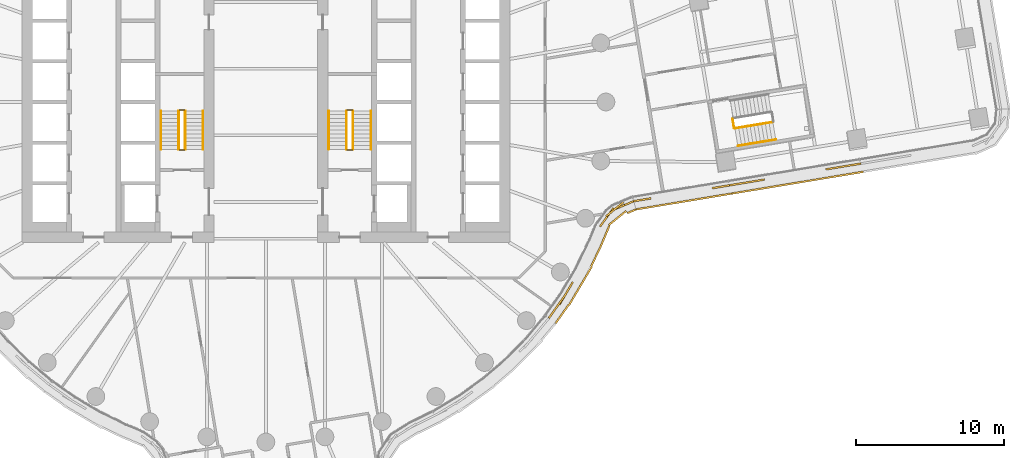
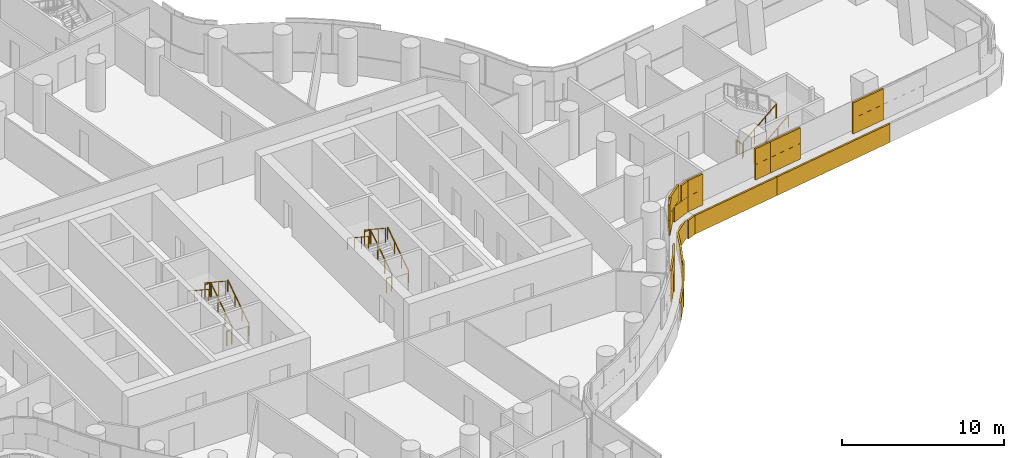
# One storey, part 29 of 32: 15 railings, 3 coverings.
"""IFC4 building model written with IfcOpenShell, lengths in metres."""

from ifc_helpers import new_model, si_unit, direction, frame, origin, origin_2d, place, context, subcontext, project, spatial, rectangle, circle, extrude, material, layer, layer_set, type_object, element, save


model = new_model("IFC4")

# Units and contexts
model_context = context("Model", 3, precision=1e-05, world=origin(), true_north=direction((0.0, 1.0)))
body_context = subcontext(model_context, "Body", "Model", "MODEL_VIEW")
ifc_project = project(units=[si_unit("LENGTHUNIT", "METRE"), si_unit("AREAUNIT", "SQUARE_METRE"), si_unit("VOLUMEUNIT", "CUBIC_METRE"), si_unit("PLANEANGLEUNIT", "RADIAN"), si_unit("MASSUNIT", "GRAM", prefix="KILO")], contexts=[model_context])

# Site, building, storey
site_placement = place(None, origin())
site = spatial("IfcSite", under=ifc_project, at=site_placement, CompositionType="ELEMENT")
building_placement = place(site_placement, origin())
building = spatial("IfcBuilding", under=site, at=building_placement, Name="Tamarind Cross Interchange Tower", CompositionType="ELEMENT")
storey_placement = place(building_placement, frame((0.0, 0.0, 67.75)))
storey = spatial("IfcBuildingStorey", under=building, at=storey_placement, Name="L15", CompositionType="ELEMENT", Elevation=67.75)

# Railings
ifc_material_1 = material(Name="Stair guard")
railing_type_1 = type_object("IfcRailingType", Name="Stair guard", PredefinedType="GUARDRAIL", material=ifc_material_1)
railing_1_placement = place(storey_placement, frame((-5.449951171875, -3.199951171875, 0.17041015625)))
element("IfcRailing", 1, at=railing_1_placement, inside=storey, type_object=railing_type_1, Name="L15 ST1 stair guard 1", PredefinedType="GUARDRAIL", context=body_context, shape_type="SweptSolid", body=[
    extrude(circle(Radius=0.02392578125, at=origin_2d()), frame((0.0, 0.0, 1.076171875), z_axis=(0.0, 0.836278606002, 0.548304744775), x_axis=(-1.0, 0.0, 0.0)), (0.0, 0.0, 1.0), 3.10888671875),
    extrude(circle(Radius=0.02099609375, at=origin_2d()), origin(), (0.0, 0.0, 1.0), 1.052001953125),
    extrude(circle(Radius=0.02099609375, at=origin_2d()), frame((0.0, 0.86669921875, 0.568115234375)), (0.0, 0.0, 1.0), 1.052001953125),
    extrude(circle(Radius=0.02099609375, at=origin_2d()), frame((0.0, 1.733154296875, 1.136474609375)), (0.0, 0.0, 1.0), 1.052001953125),
    extrude(circle(Radius=0.02099609375, at=origin_2d()), frame((0.0, 2.599853515625, 1.70458984375)), (0.0, 0.0, 1.0), 1.052001953125),
])
railing_2_placement = place(storey_placement, frame((-5.5, -0.550048828125, 1.875)))
element("IfcRailing", 2, at=railing_2_placement, inside=storey, type_object=railing_type_1, Name="L15 ST1 stair guard 2", PredefinedType="GUARDRAIL", context=body_context, shape_type="SweptSolid", body=[
    extrude(circle(Radius=0.02392578125, at=origin_2d()), frame((0.0, 0.0, 1.076171875), z_axis=(-1.0, 0.0, 0.0), x_axis=(0.0, -1.0, 0.0)), (0.0, 0.0, 1.0), 0.35009765625),
    extrude(circle(Radius=0.02099609375, at=origin_2d()), origin(), (0.0, 0.0, 1.0), 1.052001953125),
    extrude(circle(Radius=0.02099609375, at=origin_2d()), frame((-0.35009765625, 0.0, 0.0)), (0.0, 0.0, 1.0), 1.052001953125),
])
railing_3_placement = place(storey_placement, frame((-5.89990234375, -0.60009765625, 2.04541015625)))
element("IfcRailing", 3, at=railing_3_placement, inside=storey, type_object=railing_type_1, Name="L15 ST1 stair guard 3", PredefinedType="GUARDRAIL", context=body_context, shape_type="SweptSolid", body=[
    extrude(circle(Radius=0.02392578125, at=origin_2d()), frame((0.0, 0.0, 1.076171875), z_axis=(0.0, -0.836278606002, 0.548304744775), x_axis=(1.0, 0.0, 0.0)), (0.0, 0.0, 1.0), 3.10888671875),
    extrude(circle(Radius=0.02099609375, at=origin_2d()), origin(), (0.0, 0.0, 1.0), 1.052001953125),
    extrude(circle(Radius=0.02099609375, at=origin_2d()), frame((0.0, -0.86669921875, 0.568115234375)), (0.0, 0.0, 1.0), 1.052001953125),
    extrude(circle(Radius=0.02099609375, at=origin_2d()), frame((0.0, -1.733154296875, 1.136474609375)), (0.0, 0.0, 1.0), 1.052001953125),
    extrude(circle(Radius=0.02099609375, at=origin_2d()), frame((0.0, -2.599853515625, 1.70458984375)), (0.0, 0.0, 1.0), 1.052001953125),
])
railing_4_placement = place(storey_placement, frame((-5.5, -3.25, 0.0)))
element("IfcRailing", 4, at=railing_4_placement, inside=storey, type_object=railing_type_1, Name="L15 ST1 stair guard 4", PredefinedType="GUARDRAIL", context=body_context, shape_type="SweptSolid", body=[
    extrude(circle(Radius=0.02392578125, at=origin_2d()), frame((0.0, 0.0, 1.076171875), z_axis=(-1.0, 0.0, 0.0), x_axis=(0.0, -1.0, 0.0)), (0.0, 0.0, 1.0), 0.35009765625),
    extrude(circle(Radius=0.02099609375, at=origin_2d()), origin(), (0.0, 0.0, 1.0), 1.052001953125),
    extrude(circle(Radius=0.02099609375, at=origin_2d()), frame((-0.35009765625, 0.0, 0.0)), (0.0, 0.0, 1.0), 1.052001953125),
])
railing_5_placement = place(storey_placement, frame((5.89990234375, -3.199951171875, 0.17041015625)))
element("IfcRailing", 5, at=railing_5_placement, inside=storey, type_object=railing_type_1, Name="L15 ST2 stair guard 1", PredefinedType="GUARDRAIL", context=body_context, shape_type="SweptSolid", body=[
    extrude(circle(Radius=0.02392578125, at=origin_2d()), frame((0.0, 0.0, 1.076171875), z_axis=(0.0, 0.836278606002, 0.548304744775), x_axis=(-1.0, 0.0, 0.0)), (0.0, 0.0, 1.0), 3.10888671875),
    extrude(circle(Radius=0.02099609375, at=origin_2d()), origin(), (0.0, 0.0, 1.0), 1.052001953125),
    extrude(circle(Radius=0.02099609375, at=origin_2d()), frame((0.0, 0.86669921875, 0.568115234375)), (0.0, 0.0, 1.0), 1.052001953125),
    extrude(circle(Radius=0.02099609375, at=origin_2d()), frame((0.0, 1.733154296875, 1.136474609375)), (0.0, 0.0, 1.0), 1.052001953125),
    extrude(circle(Radius=0.02099609375, at=origin_2d()), frame((0.0, 2.599853515625, 1.70458984375)), (0.0, 0.0, 1.0), 1.052001953125),
])
railing_6_placement = place(storey_placement, frame((5.85009765625, -0.550048828125, 1.875)))
element("IfcRailing", 6, at=railing_6_placement, inside=storey, type_object=railing_type_1, Name="L15 ST2 stair guard 2", PredefinedType="GUARDRAIL", context=body_context, shape_type="SweptSolid", body=[
    extrude(circle(Radius=0.02392578125, at=origin_2d()), frame((0.0, 0.0, 1.076171875), z_axis=(-1.0, 0.0, 0.0), x_axis=(0.0, -1.0, 0.0)), (0.0, 0.0, 1.0), 0.35009765625),
    extrude(circle(Radius=0.02099609375, at=origin_2d()), origin(), (0.0, 0.0, 1.0), 1.052001953125),
    extrude(circle(Radius=0.02099609375, at=origin_2d()), frame((-0.35009765625, 0.0, 0.0)), (0.0, 0.0, 1.0), 1.052001953125),
])
railing_7_placement = place(storey_placement, frame((5.449951171875, -0.60009765625, 2.04541015625)))
element("IfcRailing", 7, at=railing_7_placement, inside=storey, type_object=railing_type_1, Name="L15 ST2 stair guard 3", PredefinedType="GUARDRAIL", context=body_context, shape_type="SweptSolid", body=[
    extrude(circle(Radius=0.02392578125, at=origin_2d()), frame((0.0, 0.0, 1.076171875), z_axis=(0.0, -0.836278606002, 0.548304744775), x_axis=(1.0, 0.0, 0.0)), (0.0, 0.0, 1.0), 3.10888671875),
    extrude(circle(Radius=0.02099609375, at=origin_2d()), origin(), (0.0, 0.0, 1.0), 1.052001953125),
    extrude(circle(Radius=0.02099609375, at=origin_2d()), frame((0.0, -0.86669921875, 0.568115234375)), (0.0, 0.0, 1.0), 1.052001953125),
    extrude(circle(Radius=0.02099609375, at=origin_2d()), frame((0.0, -1.733154296875, 1.136474609375)), (0.0, 0.0, 1.0), 1.052001953125),
    extrude(circle(Radius=0.02099609375, at=origin_2d()), frame((0.0, -2.599853515625, 1.70458984375)), (0.0, 0.0, 1.0), 1.052001953125),
])
railing_8_placement = place(storey_placement, frame((5.85009765625, -3.25, 0.0)))
element("IfcRailing", 8, at=railing_8_placement, inside=storey, type_object=railing_type_1, Name="L15 ST2 stair guard 4", PredefinedType="GUARDRAIL", context=body_context, shape_type="SweptSolid", body=[
    extrude(circle(Radius=0.02392578125, at=origin_2d()), frame((0.0, 0.0, 1.076171875), z_axis=(-1.0, 0.0, 0.0), x_axis=(0.0, -1.0, 0.0)), (0.0, 0.0, 1.0), 0.35009765625),
    extrude(circle(Radius=0.02099609375, at=origin_2d()), origin(), (0.0, 0.0, 1.0), 1.052001953125),
    extrude(circle(Radius=0.02099609375, at=origin_2d()), frame((-0.35009765625, 0.0, 0.0)), (0.0, 0.0, 1.0), 1.052001953125),
])
railing_9_placement = place(storey_placement, frame((31.722412109375, -1.78564453125, 0.17041015625)))
element("IfcRailing", 9, at=railing_9_placement, inside=storey, type_object=railing_type_1, Name="L15 ST3 stair guard 1", PredefinedType="GUARDRAIL", context=body_context, shape_type="SweptSolid", body=[
    extrude(circle(Radius=0.02392578125, at=origin_2d()), frame((0.0, 0.0, 1.076171875), z_axis=(0.82504245151, 0.136643238685, 0.548300627874), x_axis=(-0.163393869779, 0.986560917186, 0.0)), (0.0, 0.0, 1.0), 3.10888671875),
    extrude(circle(Radius=0.02099609375, at=origin_2d()), origin(), (0.0, 0.0, 1.0), 1.052001953125),
    extrude(circle(Radius=0.02099609375, at=origin_2d()), frame((0.85498046875, 0.1416015625, 0.568115234375)), (0.0, 0.0, 1.0), 1.052001953125),
    extrude(circle(Radius=0.02099609375, at=origin_2d()), frame((1.7099609375, 0.283203125, 1.136474609375)), (0.0, 0.0, 1.0), 1.052001953125),
    extrude(circle(Radius=0.02099609375, at=origin_2d()), frame((2.56494140625, 0.4248046875, 1.70458984375)), (0.0, 0.0, 1.0), 1.052001953125),
])
railing_10_placement = place(storey_placement, frame((31.664794921875, -1.744384765625, 0.0)))
element("IfcRailing", 10, at=railing_10_placement, inside=storey, type_object=railing_type_1, Name="L15 ST3 stair guard 4", PredefinedType="GUARDRAIL", context=body_context, shape_type="SweptSolid", body=[
    extrude(circle(Radius=0.02392578125, at=origin_2d()), frame((0.0, 0.0, 1.076171875), z_axis=(-0.163145328408, 0.986602048355, 0.0), x_axis=(-0.986602048355, -0.163145328408, 0.0)), (0.0, 0.0, 1.0), 0.60009765625),
    extrude(circle(Radius=0.02099609375, at=origin_2d()), origin(), (0.0, 0.0, 1.0), 1.052001953125),
    extrude(circle(Radius=0.02099609375, at=origin_2d()), frame((-0.097900390625, 0.592041015625, 0.0)), (0.0, 0.0, 1.0), 1.052001953125),
])
ifc_material_2 = material(Name="Stair handrail")
railing_type_2 = type_object("IfcRailingType", Name="Stair handrail", PredefinedType="HANDRAIL", material=ifc_material_2)
railing_11_placement = place(storey_placement, frame((-4.25, -3.199951171875, 0.17041015625)))
element("IfcRailing", 11, at=railing_11_placement, inside=storey, type_object=railing_type_2, Name="L15 ST1 stair handrail 1", PredefinedType="HANDRAIL", context=body_context, shape_type="SweptSolid", body=[
    extrude(circle(Radius=0.02392578125, at=origin_2d()), frame((0.0, 0.0, 0.8759765625), z_axis=(0.0, 0.836278606002, 0.548304744775), x_axis=(-1.0, 0.0, 0.0)), (0.0, 0.0, 1.0), 3.10888671875),
    extrude(circle(Radius=0.02099609375, at=origin_2d()), origin(), (0.0, 0.0, 1.0), 0.851806640625),
    extrude(circle(Radius=0.02099609375, at=origin_2d()), frame((0.0, 0.86669921875, 0.568115234375)), (0.0, 0.0, 1.0), 0.851806640625),
    extrude(circle(Radius=0.02099609375, at=origin_2d()), frame((0.0, 1.733154296875, 1.136474609375)), (0.0, 0.0, 1.0), 0.851806640625),
    extrude(circle(Radius=0.02099609375, at=origin_2d()), frame((0.0, 2.599853515625, 1.70458984375)), (0.0, 0.0, 1.0), 0.851806640625),
])
railing_12_placement = place(storey_placement, frame((-7.10009765625, -0.60009765625, 2.04541015625)))
element("IfcRailing", 12, at=railing_12_placement, inside=storey, type_object=railing_type_2, Name="L15 ST1 stair handrail 2", PredefinedType="HANDRAIL", context=body_context, shape_type="SweptSolid", body=[
    extrude(circle(Radius=0.02392578125, at=origin_2d()), frame((0.0, 0.0, 0.8759765625), z_axis=(0.0, -0.836278606002, 0.548304744775), x_axis=(1.0, 0.0, 0.0)), (0.0, 0.0, 1.0), 3.10888671875),
    extrude(circle(Radius=0.02099609375, at=origin_2d()), origin(), (0.0, 0.0, 1.0), 0.851806640625),
    extrude(circle(Radius=0.02099609375, at=origin_2d()), frame((0.0, -0.86669921875, 0.568115234375)), (0.0, 0.0, 1.0), 0.851806640625),
    extrude(circle(Radius=0.02099609375, at=origin_2d()), frame((0.0, -1.733154296875, 1.136474609375)), (0.0, 0.0, 1.0), 0.851806640625),
    extrude(circle(Radius=0.02099609375, at=origin_2d()), frame((0.0, -2.599853515625, 1.70458984375)), (0.0, 0.0, 1.0), 0.851806640625),
])
railing_13_placement = place(storey_placement, frame((7.10009765625, -3.199951171875, 0.17041015625)))
element("IfcRailing", 13, at=railing_13_placement, inside=storey, type_object=railing_type_2, Name="L15 ST2 stair handrail 1", PredefinedType="HANDRAIL", context=body_context, shape_type="SweptSolid", body=[
    extrude(circle(Radius=0.02392578125, at=origin_2d()), frame((0.0, 0.0, 0.8759765625), z_axis=(0.0, 0.836278606002, 0.548304744775), x_axis=(-1.0, 0.0, 0.0)), (0.0, 0.0, 1.0), 3.10888671875),
    extrude(circle(Radius=0.02099609375, at=origin_2d()), origin(), (0.0, 0.0, 1.0), 0.851806640625),
    extrude(circle(Radius=0.02099609375, at=origin_2d()), frame((0.0, 0.86669921875, 0.568115234375)), (0.0, 0.0, 1.0), 0.851806640625),
    extrude(circle(Radius=0.02099609375, at=origin_2d()), frame((0.0, 1.733154296875, 1.136474609375)), (0.0, 0.0, 1.0), 0.851806640625),
    extrude(circle(Radius=0.02099609375, at=origin_2d()), frame((0.0, 2.599853515625, 1.70458984375)), (0.0, 0.0, 1.0), 0.851806640625),
])
railing_14_placement = place(storey_placement, frame((4.25, -0.60009765625, 2.04541015625)))
element("IfcRailing", 14, at=railing_14_placement, inside=storey, type_object=railing_type_2, Name="L15 ST2 stair handrail 2", PredefinedType="HANDRAIL", context=body_context, shape_type="SweptSolid", body=[
    extrude(circle(Radius=0.02392578125, at=origin_2d()), frame((0.0, 0.0, 0.8759765625), z_axis=(0.0, -0.836278606002, 0.548304744775), x_axis=(1.0, 0.0, 0.0)), (0.0, 0.0, 1.0), 3.10888671875),
    extrude(circle(Radius=0.02099609375, at=origin_2d()), origin(), (0.0, 0.0, 1.0), 0.851806640625),
    extrude(circle(Radius=0.02099609375, at=origin_2d()), frame((0.0, -0.86669921875, 0.568115234375)), (0.0, 0.0, 1.0), 0.851806640625),
    extrude(circle(Radius=0.02099609375, at=origin_2d()), frame((0.0, -1.733154296875, 1.136474609375)), (0.0, 0.0, 1.0), 0.851806640625),
    extrude(circle(Radius=0.02099609375, at=origin_2d()), frame((0.0, -2.599853515625, 1.70458984375)), (0.0, 0.0, 1.0), 0.851806640625),
])
railing_15_placement = place(storey_placement, frame((31.91845703125, -2.969482421875, 0.17041015625)))
element("IfcRailing", 15, at=railing_15_placement, inside=storey, type_object=railing_type_2, Name="L15 ST3 stair handrail 1", PredefinedType="HANDRAIL", context=body_context, shape_type="SweptSolid", body=[
    extrude(circle(Radius=0.02392578125, at=origin_2d()), frame((0.0, 0.0, 0.8759765625), z_axis=(0.82504245151, 0.136643238685, 0.548300627874), x_axis=(-0.163393869779, 0.986560917186, 0.0)), (0.0, 0.0, 1.0), 3.10888671875),
    extrude(circle(Radius=0.02099609375, at=origin_2d()), origin(), (0.0, 0.0, 1.0), 0.851806640625),
    extrude(circle(Radius=0.02099609375, at=origin_2d()), frame((0.85498046875, 0.1416015625, 0.568115234375)), (0.0, 0.0, 1.0), 0.851806640625),
    extrude(circle(Radius=0.02099609375, at=origin_2d()), frame((1.7099609375, 0.283203125, 1.136474609375)), (0.0, 0.0, 1.0), 0.851806640625),
    extrude(circle(Radius=0.02099609375, at=origin_2d()), frame((2.56494140625, 0.4248046875, 1.70458984375)), (0.0, 0.0, 1.0), 0.851806640625),
])

# Coverings
ifc_material_3 = material(Name="Terracotta", Category="masonry")
ifc_layer = layer(ifc_material_3, 0.1201171875)
ifc_layer_set = layer_set([ifc_layer], Name="Terracotta")
covering_type = type_object("IfcCoveringType", Name="Terracotta baguette screen unit", PredefinedType="MOLDING", material=ifc_layer_set)
covering_1_placement = place(storey_placement, origin())
element("IfcCovering", 16, at=covering_1_placement, inside=storey, type_object=covering_type, Name="SCR-L15-10-01", PredefinedType="MOLDING", context=body_context, shape_type="SweptSolid", body=[
    extrude(rectangle(XDim=1.171875, YDim=0.1201171875, at=origin_2d()), frame((19.4716796875, -14.1455078125, 1.404052734375), z_axis=(0.0, 0.0, 1.0), x_axis=(0.577568978284, 0.816341886298, 0.0)), (0.0, 0.0, 1.0), 1.1669921875),
    extrude(rectangle(XDim=1.52001953125, YDim=0.1201171875, at=origin_2d()), frame((20.238037109375, -13.057373046875, 1.404052734375), z_axis=(0.0, 0.0, 1.0), x_axis=(0.508183308752, 0.861248933065, 0.0)), (0.0, 0.0, 1.0), 1.1669921875),
    extrude(rectangle(XDim=1.52001953125, YDim=0.1201171875, at=origin_2d()), frame((23.063232421875, -7.782958984375, 1.404052734375), z_axis=(0.0, 0.0, 1.0), x_axis=(0.58970450953, 0.807619088086, 0.0)), (0.0, 0.0, 1.0), 1.1669921875),
    extrude(rectangle(XDim=1.40771484375, YDim=0.1201171875, at=origin_2d()), frame((24.23193359375, -6.98193359375, 1.404052734375), z_axis=(0.0, 0.0, 1.0), x_axis=(0.921404179617, 0.388605632724, 0.0)), (0.0, 0.0, 1.0), 1.1669921875),
    extrude(rectangle(XDim=0.421875, YDim=0.1201171875, at=origin_2d()), frame((19.255126953125, -14.451416015625, 2.5791015625), z_axis=(0.0, 0.0, 1.0), x_axis=(0.577568978284, 0.816341886298, 0.0)), (0.0, 0.0, 1.0), 1.1669921875),
    extrude(rectangle(XDim=1.52001953125, YDim=0.1201171875, at=origin_2d()), frame((19.80712890625, -13.671142578125, 2.5791015625), z_axis=(0.0, 0.0, 1.0), x_axis=(0.577568978284, 0.816341886298, 0.0)), (0.0, 0.0, 1.0), 1.1669921875),
    extrude(rectangle(XDim=1.02783203125, YDim=0.1201171875, at=origin_2d()), frame((20.49658203125, -12.618896484375, 2.5791015625), z_axis=(0.0, 0.0, 1.0), x_axis=(0.508183308752, 0.861248933065, 0.0)), (0.0, 0.0, 1.0), 1.1669921875),
    extrude(rectangle(XDim=0.7919921875, YDim=0.1201171875, at=origin_2d()), frame((22.832763671875, -8.098876953125, 2.5791015625), z_axis=(0.0, 0.0, 1.0), x_axis=(0.58970450953, 0.807619088086, 0.0)), (0.0, 0.0, 1.0), 1.1669921875),
    extrude(rectangle(XDim=1.52001953125, YDim=0.1201171875, at=origin_2d()), frame((23.591064453125, -7.258544921875, 2.5791015625), z_axis=(0.0, 0.0, 1.0), x_axis=(0.776665689347, 0.629913015417, 0.0)), (0.0, 0.0, 1.0), 1.1669921875),
    extrude(rectangle(XDim=0.65771484375, YDim=0.1201171875, at=origin_2d()), frame((24.577392578125, -6.836181640625, 2.5791015625), z_axis=(0.0, 0.0, 1.0), x_axis=(0.921404179617, 0.388605632724, 0.0)), (0.0, 0.0, 1.0), 1.1669921875),
    extrude(rectangle(XDim=0.06396484375, YDim=0.1201171875, at=origin_2d()), frame((19.61083984375, -14.9423828125, 0.00390625), z_axis=(0.0, 0.0, 1.0), x_axis=(0.577568978284, 0.816341886298, 0.0)), (0.0, 0.0, 1.0), 1.39208984375),
    extrude(rectangle(XDim=1.52001953125, YDim=0.1201171875, at=origin_2d()), frame((20.056884765625, -14.31201171875, 0.00390625), z_axis=(0.0, 0.0, 1.0), x_axis=(0.577568978284, 0.816341886298, 0.0)), (0.0, 0.0, 1.0), 1.39208984375),
    extrude(rectangle(XDim=1.52001953125, YDim=0.1201171875, at=origin_2d()), frame((20.896728515625, -13.070556640625, 0.00390625), z_axis=(0.0, 0.0, 1.0), x_axis=(0.508183308752, 0.861248933065, 0.0)), (0.0, 0.0, 1.0), 1.39208984375),
    extrude(rectangle(XDim=1.52001953125, YDim=0.1201171875, at=origin_2d()), frame((21.658935546875, -11.778564453125, 0.00390625), z_axis=(0.0, 0.0, 1.0), x_axis=(0.508183308752, 0.861248933065, 0.0)), (0.0, 0.0, 1.0), 1.39208984375),
    extrude(rectangle(XDim=1.52001953125, YDim=0.1201171875, at=origin_2d()), frame((22.323486328125, -10.434326171875, 0.00390625), z_axis=(0.0, 0.0, 1.0), x_axis=(0.435326231914, 0.900272776334, 0.0)), (0.0, 0.0, 1.0), 1.39208984375),
    extrude(rectangle(XDim=1.52001953125, YDim=0.1201171875, at=origin_2d()), frame((22.938232421875, -9.066650390625, 0.00390625), z_axis=(0.0, 0.0, 1.0), x_axis=(0.388422416362, 0.921481430343, 0.0)), (0.0, 0.0, 1.0), 1.39208984375),
    extrude(rectangle(XDim=1.52001953125, YDim=0.1201171875, at=origin_2d()), frame((23.78125, -7.84326171875, 0.00390625), z_axis=(0.0, 0.0, 1.0), x_axis=(0.776665689347, 0.629913015417, 0.0)), (0.0, 0.0, 1.0), 1.39208984375),
    extrude(rectangle(XDim=0.647705078125, YDim=0.1201171875, at=origin_2d()), frame((24.73828125, -7.391357421875, 0.00390625), z_axis=(0.0, 0.0, 1.0), x_axis=(0.921404179617, 0.388605632724, 0.0)), (0.0, 0.0, 1.0), 1.39208984375),
])
covering_2_placement = place(storey_placement, origin())
element("IfcCovering", 17, at=covering_2_placement, inside=storey, type_object=covering_type, Name="SCR-L15-11-00", PredefinedType="MOLDING", context=body_context, shape_type="SweptSolid", body=[
    extrude(rectangle(XDim=0.760009765625, YDim=0.1201171875, at=origin_2d()), frame((25.245849609375, -6.64892578125, 1.404052734375), z_axis=(0.0, 0.0, 1.0), x_axis=(0.986563038226, 0.163381062571, 0.0)), (0.0, 0.0, 1.0), 1.1669921875),
    extrude(rectangle(XDim=0.445068359375, YDim=0.1201171875, at=origin_2d()), frame((25.830322265625, -6.55224609375, 1.404052734375), z_axis=(0.0, 0.0, 1.0), x_axis=(0.986563038226, 0.163381062571, 0.0)), (0.0, 0.0, 1.0), 1.1669921875),
    extrude(rectangle(XDim=1.18505859375, YDim=0.1201171875, at=origin_2d()), frame((30.773193359375, -5.733642578125, 1.404052734375), z_axis=(0.0, 0.0, 1.0), x_axis=(0.986563038226, 0.163381062571, 0.0)), (0.0, 0.0, 1.0), 1.1669921875),
    extrude(rectangle(XDim=1.18505859375, YDim=0.1201171875, at=origin_2d()), frame((25.46044921875, -6.613525390625, 2.5791015625), z_axis=(0.0, 0.0, 1.0), x_axis=(0.986563038226, 0.163381062571, 0.0)), (0.0, 0.0, 1.0), 1.1669921875),
    extrude(rectangle(XDim=0.625, YDim=0.1201171875, at=origin_2d()), frame((30.491943359375, -5.7802734375, 2.5791015625), z_axis=(0.0, 0.0, 1.0), x_axis=(0.986563038226, 0.163381062571, 0.0)), (0.0, 0.0, 1.0), 1.1669921875),
    extrude(rectangle(XDim=0.579833984375, YDim=0.1201171875, at=origin_2d()), frame((31.076416015625, -5.683349609375, 2.5791015625), z_axis=(0.0, 0.0, 1.0), x_axis=(0.986563038226, 0.163381062571, 0.0)), (0.0, 0.0, 1.0), 1.1669921875),
    extrude(rectangle(XDim=0.760009765625, YDim=0.1201171875, at=origin_2d()), frame((25.411376953125, -7.203369140625, 0.00390625), z_axis=(0.0, 0.0, 1.0), x_axis=(0.986563038226, 0.163381062571, 0.0)), (0.0, 0.0, 1.0), 1.39208984375),
    extrude(rectangle(XDim=1.52001953125, YDim=0.1201171875, at=origin_2d()), frame((26.516357421875, -7.0205078125, 0.00390625), z_axis=(0.0, 0.0, 1.0), x_axis=(0.986563038226, 0.163381062571, 0.0)), (0.0, 0.0, 1.0), 1.39208984375),
    extrude(rectangle(XDim=1.52001953125, YDim=0.1201171875, at=origin_2d()), frame((27.996337890625, -6.775390625, 0.00390625), z_axis=(0.0, 0.0, 1.0), x_axis=(0.986563038226, 0.163381062571, 0.0)), (0.0, 0.0, 1.0), 1.39208984375),
    extrude(rectangle(XDim=1.52001953125, YDim=0.1201171875, at=origin_2d()), frame((29.47607421875, -6.5302734375, 0.00390625), z_axis=(0.0, 0.0, 1.0), x_axis=(0.986563038226, 0.163381062571, 0.0)), (0.0, 0.0, 1.0), 1.39208984375),
    extrude(rectangle(XDim=1.33203125, YDim=0.1201171875, at=origin_2d()), frame((30.86328125, -6.300537109375, 0.00390625), z_axis=(0.0, 0.0, 1.0), x_axis=(0.986563038226, 0.163381062571, 0.0)), (0.0, 0.0, 1.0), 1.39208984375),
])
covering_3_placement = place(storey_placement, origin())
element("IfcCovering", 18, at=covering_3_placement, inside=storey, type_object=covering_type, Name="SCR-L15-11-01", PredefinedType="MOLDING", context=body_context, shape_type="SweptSolid", body=[
    extrude(rectangle(XDim=0.18994140625, YDim=0.1201171875, at=origin_2d()), frame((31.446533203125, -5.6220703125, 1.404052734375), z_axis=(0.0, 0.0, 1.0), x_axis=(0.986563038226, 0.163381062571, 0.0)), (0.0, 0.0, 1.0), 1.1669921875),
    extrude(rectangle(XDim=1.52001953125, YDim=0.1201171875, at=origin_2d()), frame((32.275146484375, -5.48486328125, 1.404052734375), z_axis=(0.0, 0.0, 1.0), x_axis=(0.986563038226, 0.163381062571, 0.0)), (0.0, 0.0, 1.0), 1.1669921875),
    extrude(rectangle(XDim=0.730224609375, YDim=0.1201171875, at=origin_2d()), frame((33.370361328125, -5.303466796875, 1.404052734375), z_axis=(0.0, 0.0, 1.0), x_axis=(0.986563038226, 0.163381062571, 0.0)), (0.0, 0.0, 1.0), 1.1669921875),
    extrude(rectangle(XDim=1.08984375, YDim=0.1201171875, at=origin_2d()), frame((38.40185546875, -4.47021484375, 1.404052734375), z_axis=(0.0, 0.0, 1.0), x_axis=(0.986563038226, 0.163381062571, 0.0)), (0.0, 0.0, 1.0), 1.1669921875),
    extrude(rectangle(XDim=1.330322265625, YDim=0.1201171875, at=origin_2d()), frame((39.585693359375, -4.274169921875, 1.404052734375), z_axis=(0.0, 0.0, 1.0), x_axis=(0.986563038226, 0.163381062571, 0.0)), (0.0, 0.0, 1.0), 1.1669921875),
    extrude(rectangle(XDim=0.93994140625, YDim=0.1201171875, at=origin_2d()), frame((31.81640625, -5.560791015625, 2.5791015625), z_axis=(0.0, 0.0, 1.0), x_axis=(0.986563038226, 0.163381062571, 0.0)), (0.0, 0.0, 1.0), 1.1669921875),
    extrude(rectangle(XDim=1.480224609375, YDim=0.1201171875, at=origin_2d()), frame((33.00048828125, -5.36474609375, 2.5791015625), z_axis=(0.0, 0.0, 1.0), x_axis=(0.986563038226, 0.163381062571, 0.0)), (0.0, 0.0, 1.0), 1.1669921875),
    extrude(rectangle(XDim=0.33984375, YDim=0.1201171875, at=origin_2d()), frame((38.031982421875, -4.531494140625, 2.5791015625), z_axis=(0.0, 0.0, 1.0), x_axis=(0.986563038226, 0.163381062571, 0.0)), (0.0, 0.0, 1.0), 1.1669921875),
    extrude(rectangle(XDim=1.52001953125, YDim=0.1201171875, at=origin_2d()), frame((38.9345703125, -4.382080078125, 2.5791015625), z_axis=(0.0, 0.0, 1.0), x_axis=(0.986563038226, 0.163381062571, 0.0)), (0.0, 0.0, 1.0), 1.1669921875),
    extrude(rectangle(XDim=0.580322265625, YDim=0.1201171875, at=origin_2d()), frame((39.955810546875, -4.212890625, 2.5791015625), z_axis=(0.0, 0.0, 1.0), x_axis=(0.986563038226, 0.163381062571, 0.0)), (0.0, 0.0, 1.0), 1.1669921875),
    extrude(rectangle(XDim=0.18798828125, YDim=0.1201171875, at=origin_2d()), frame((31.613037109375, -6.176513671875, 0.00390625), z_axis=(0.0, 0.0, 1.0), x_axis=(0.986563038226, 0.163381062571, 0.0)), (0.0, 0.0, 1.0), 1.39208984375),
    extrude(rectangle(XDim=1.52001953125, YDim=0.1201171875, at=origin_2d()), frame((32.435791015625, -6.0400390625, 0.00390625), z_axis=(0.0, 0.0, 1.0), x_axis=(0.986563038226, 0.163381062571, 0.0)), (0.0, 0.0, 1.0), 1.39208984375),
    extrude(rectangle(XDim=1.52001953125, YDim=0.1201171875, at=origin_2d()), frame((33.915771484375, -5.795166015625, 0.00390625), z_axis=(0.0, 0.0, 1.0), x_axis=(0.986563038226, 0.163381062571, 0.0)), (0.0, 0.0, 1.0), 1.39208984375),
    extrude(rectangle(XDim=1.52001953125, YDim=0.1201171875, at=origin_2d()), frame((35.3955078125, -5.550048828125, 0.00390625), z_axis=(0.0, 0.0, 1.0), x_axis=(0.986563038226, 0.163381062571, 0.0)), (0.0, 0.0, 1.0), 1.39208984375),
    extrude(rectangle(XDim=1.52001953125, YDim=0.1201171875, at=origin_2d()), frame((36.875244140625, -5.304931640625, 0.00390625), z_axis=(0.0, 0.0, 1.0), x_axis=(0.986563038226, 0.163381062571, 0.0)), (0.0, 0.0, 1.0), 1.39208984375),
    extrude(rectangle(XDim=1.52001953125, YDim=0.1201171875, at=origin_2d()), frame((38.355224609375, -5.059814453125, 0.00390625), z_axis=(0.0, 0.0, 1.0), x_axis=(0.986563038226, 0.163381062571, 0.0)), (0.0, 0.0, 1.0), 1.39208984375),
    extrude(rectangle(XDim=1.335693359375, YDim=0.1201171875, at=origin_2d()), frame((39.744140625, -4.829833984375, 0.00390625), z_axis=(0.0, 0.0, 1.0), x_axis=(0.986563038226, 0.163381062571, 0.0)), (0.0, 0.0, 1.0), 1.39208984375),
])

save(model, "model.ifc")
